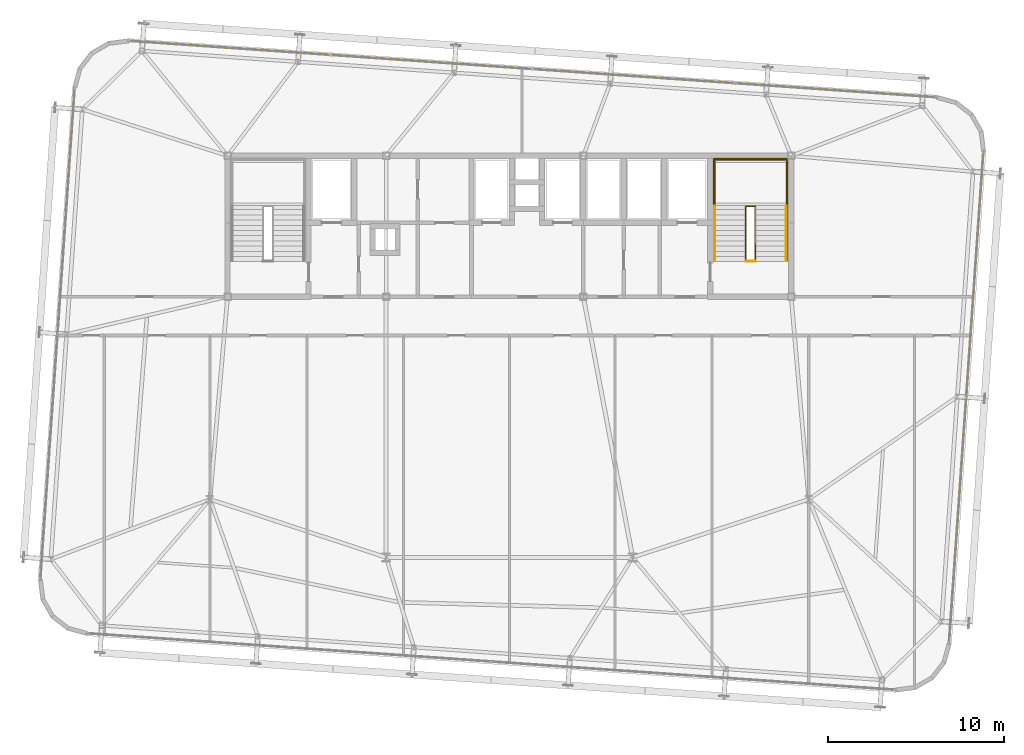
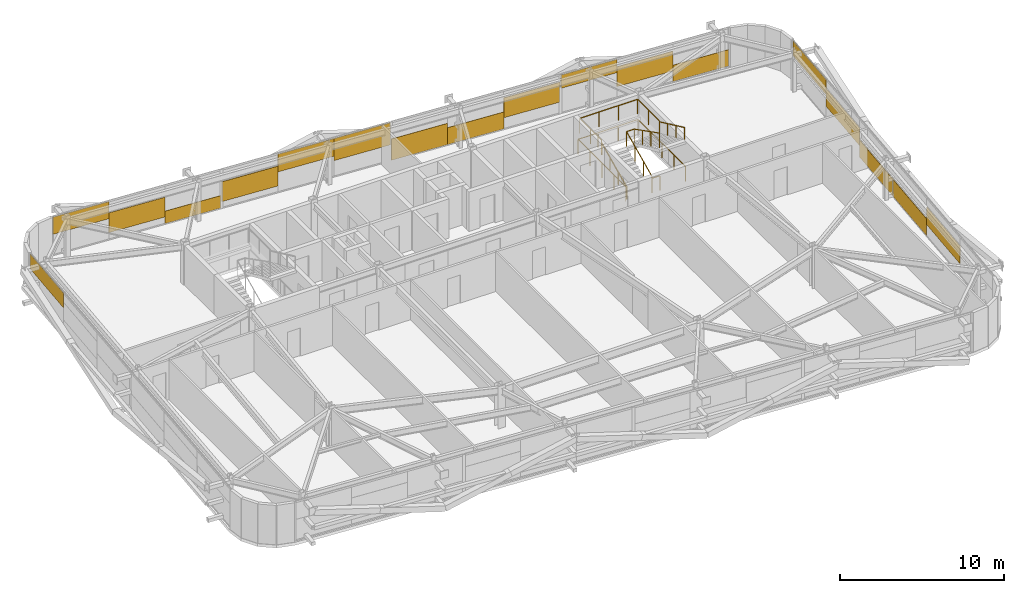
# One storey, part 39 of 39: 18 coverings, 6 railings.
"""IFC4 building model written with IfcOpenShell, lengths in metres."""

from ifc_helpers import new_model, si_unit, direction, frame, origin, origin_2d, place, context, subcontext, project, spatial, rectangle, extrude, source, transform, mapped, material, layer, layer_set, type_object, element, save


model = new_model("IFC4")

# Units and contexts
model_context = context("Model", 3, precision=1e-05, world=origin(), true_north=direction((0.0, 1.0)))
body_context = subcontext(model_context, "Body", "Model", "MODEL_VIEW")
ifc_project = project(units=[si_unit("LENGTHUNIT", "METRE"), si_unit("AREAUNIT", "SQUARE_METRE"), si_unit("VOLUMEUNIT", "CUBIC_METRE"), si_unit("PLANEANGLEUNIT", "RADIAN"), si_unit("MASSUNIT", "GRAM", prefix="KILO")], contexts=[model_context])

# Site, building, storey
site_placement = place(None, origin())
site = spatial("IfcSite", under=ifc_project, at=site_placement, CompositionType="ELEMENT")
building_placement = place(site_placement, origin())
building = spatial("IfcBuilding", under=site, at=building_placement, Name="Taldren Reach Tower", CompositionType="ELEMENT")
storey_placement = place(building_placement, frame((0.0, 0.0, 123.550048828125)))
storey = spatial("IfcBuildingStorey", under=building, at=storey_placement, Name="L37", CompositionType="ELEMENT", Elevation=123.550048828125)

# Railings
ifc_material_1 = material(Name="Steel Gr 350 (C350L0)", Category="steel")
ifc_layer_1 = layer(ifc_material_1, 0.050048828125)
ifc_layer_set_1 = layer_set([ifc_layer_1], Name="Steel Gr 350 (C350L0)")
railing_type_1 = type_object("IfcRailingType", Name="RL-STAIR-GR", PredefinedType="GUARDRAIL", material=ifc_layer_set_1)
railing_1_placement = place(storey_placement, frame((46.659912109375, 29.135009765625, 1.574951171875)))
element("IfcRailing", 1, at=railing_1_placement, inside=storey, type_object=railing_type_1, Name="Stair half-landing perimeter guard ST2-L37", PredefinedType="GUARDRAIL", context=body_context, shape_type="SweptSolid", body=[
    extrude(rectangle(XDim=0.047852, YDim=0.047852, at=origin_2d()), frame((0.0, 0.0, 1.09619140625), z_axis=(0.0, 1.0, 0.0), x_axis=(-1.0, 0.0, 0.0)), (0.0, 0.0, 1.0), 2.64501953125),
    extrude(rectangle(XDim=0.047852, YDim=0.047852, at=origin_2d()), frame((0.0, 2.64501953125, 1.09619140625), z_axis=(1.0, 0.0, 0.0), x_axis=(0.0, 1.0, 0.0)), (0.0, 0.0, 1.0), 4.080078125),
    extrude(rectangle(XDim=0.047852, YDim=0.047852, at=origin_2d()), frame((4.080078125, 2.64501953125, 1.09619140625), z_axis=(0.0, -1.0, 0.0), x_axis=(1.0, 0.0, 0.0)), (0.0, 0.0, 1.0), 2.64501953125),
    extrude(rectangle(XDim=0.041992, YDim=0.041992, at=origin_2d()), origin(), (0.0, 0.0, 1.0), 1.072021484375),
    extrude(rectangle(XDim=0.041992, YDim=0.041992, at=origin_2d()), frame((0.0, 1.322509765625, 0.0)), (0.0, 0.0, 1.0), 1.072021484375),
    extrude(rectangle(XDim=0.041992, YDim=0.041992, at=origin_2d()), frame((0.0, 2.64501953125, 0.0)), (0.0, 0.0, 1.0), 1.072021484375),
    extrude(rectangle(XDim=0.041992, YDim=0.041992, at=origin_2d()), frame((1.360107421875, 2.64501953125, 0.0)), (0.0, 0.0, 1.0), 1.072021484375),
    extrude(rectangle(XDim=0.041992, YDim=0.041992, at=origin_2d()), frame((2.719970703125, 2.64501953125, 0.0)), (0.0, 0.0, 1.0), 1.072021484375),
    extrude(rectangle(XDim=0.041992, YDim=0.041992, at=origin_2d()), frame((4.080078125, 2.64501953125, 0.0)), (0.0, 0.0, 1.0), 1.072021484375),
    extrude(rectangle(XDim=0.041992, YDim=0.041992, at=origin_2d()), frame((4.080078125, 1.322509765625, 0.0)), (0.0, 0.0, 1.0), 1.072021484375),
    extrude(rectangle(XDim=0.041992, YDim=0.041992, at=origin_2d()), frame((4.080078125, 0.0, 0.0)), (0.0, 0.0, 1.0), 1.072021484375),
])
railing_2_placement = place(storey_placement, frame((48.429931640625, 26.050048828125, 0.131103515625)))
element("IfcRailing", 2, at=railing_2_placement, inside=storey, type_object=railing_type_1, Name="Stairwell inner guard ST2-L37", PredefinedType="GUARDRAIL", context=body_context, shape_type="SweptSolid", body=[
    extrude(rectangle(XDim=0.047852, YDim=0.047852, at=origin_2d()), frame((0.0, 0.0, 1.09619140625), z_axis=(0.0, 0.905710134349, 0.423897573167), x_axis=(-1.0, 0.0, 0.0)), (0.0, 0.0, 1.0), 3.406005859375),
    extrude(rectangle(XDim=0.047852, YDim=0.047852, at=origin_2d()), frame((0.0, 3.0849609375, 2.5400390625), z_axis=(1.0, 0.0, 0.0), x_axis=(0.0, 1.0, 0.0)), (0.0, 0.0, 1.0), 0.5400390625),
    extrude(rectangle(XDim=0.047852, YDim=0.047852, at=origin_2d()), frame((0.5400390625, 3.0849609375, 2.5400390625), z_axis=(0.0, -0.890645957773, 0.45469745755), x_axis=(1.0, 0.0, 0.0)), (0.0, 0.0, 1.0), 3.463623046875),
    extrude(rectangle(XDim=0.041992, YDim=0.041992, at=origin_2d()), origin(), (0.0, 0.0, 1.0), 1.072021484375),
    extrude(rectangle(XDim=0.041992, YDim=0.041992, at=origin_2d()), frame((0.0, 1.0283203125, 0.481201171875)), (0.0, 0.0, 1.0), 1.072021484375),
    extrude(rectangle(XDim=0.041992, YDim=0.041992, at=origin_2d()), frame((0.0, 2.056640625, 0.962646484375)), (0.0, 0.0, 1.0), 1.072021484375),
    extrude(rectangle(XDim=0.041992, YDim=0.041992, at=origin_2d()), frame((0.0, 3.0849609375, 1.44384765625)), (0.0, 0.0, 1.0), 1.072021484375),
    extrude(rectangle(XDim=0.041992, YDim=0.041992, at=origin_2d()), frame((0.5400390625, 3.0849609375, 1.44384765625)), (0.0, 0.0, 1.0), 1.072021484375),
    extrude(rectangle(XDim=0.041992, YDim=0.041992, at=origin_2d()), frame((0.5400390625, 2.056640625, 1.96875)), (0.0, 0.0, 1.0), 1.072021484375),
    extrude(rectangle(XDim=0.041992, YDim=0.041992, at=origin_2d()), frame((0.5400390625, 1.0283203125, 2.493896484375)), (0.0, 0.0, 1.0), 1.072021484375),
    extrude(rectangle(XDim=0.041992, YDim=0.041992, at=origin_2d()), frame((0.5400390625, 0.0, 3.018798828125)), (0.0, 0.0, 1.0), 1.072021484375),
])
railing_3_placement = place(storey_placement, frame((48.429931640625, 26.010009765625, 0.0)))
element("IfcRailing", 3, at=railing_3_placement, inside=storey, type_object=railing_type_1, Name="Stairwell landing slot guard ST2-L37", PredefinedType="GUARDRAIL", context=body_context, shape_type="SweptSolid", body=[
    extrude(rectangle(XDim=0.047852, YDim=0.047852, at=origin_2d()), frame((0.0, 0.0, 1.09619140625), z_axis=(1.0, 0.0, 0.0), x_axis=(0.0, 1.0, 0.0)), (0.0, 0.0, 1.0), 0.5400390625),
    extrude(rectangle(XDim=0.041992, YDim=0.041992, at=origin_2d()), origin(), (0.0, 0.0, 1.0), 1.072021484375),
    extrude(rectangle(XDim=0.041992, YDim=0.041992, at=origin_2d()), frame((0.5400390625, 0.0, 0.0)), (0.0, 0.0, 1.0), 1.072021484375),
])
railing_4_placement = place(storey_placement, frame((46.590087890625, 26.050048828125, 0.0)))
element("IfcRailing", 4, at=railing_4_placement, inside=storey, type_object=railing_type_1, Name="Stairwell floor opening guard ST2-L37", PredefinedType="GUARDRAIL", context=body_context, shape_type="SweptSolid", body=[
    extrude(rectangle(XDim=0.047852, YDim=0.047852, at=origin_2d()), frame((0.0, 0.0, 1.09619140625), z_axis=(0.0, 1.0, 0.0), x_axis=(-1.0, 0.0, 0.0)), (0.0, 0.0, 1.0), 5.800048828125),
    extrude(rectangle(XDim=0.047852, YDim=0.047852, at=origin_2d()), frame((0.0, 5.800048828125, 1.09619140625), z_axis=(1.0, 0.0, 0.0), x_axis=(0.0, 1.0, 0.0)), (0.0, 0.0, 1.0), 4.219970703125),
    extrude(rectangle(XDim=0.047852, YDim=0.047852, at=origin_2d()), frame((4.219970703125, 5.800048828125, 1.09619140625), z_axis=(0.0, -1.0, 0.0), x_axis=(1.0, 0.0, 0.0)), (0.0, 0.0, 1.0), 5.800048828125),
    extrude(rectangle(XDim=0.041992, YDim=0.041992, at=origin_2d()), origin(), (0.0, 0.0, 1.0), 1.072021484375),
    extrude(rectangle(XDim=0.041992, YDim=0.041992, at=origin_2d()), frame((0.0, 1.449951171875, 0.0)), (0.0, 0.0, 1.0), 1.072021484375),
    extrude(rectangle(XDim=0.041992, YDim=0.041992, at=origin_2d()), frame((0.0, 2.89990234375, 0.0)), (0.0, 0.0, 1.0), 1.072021484375),
    extrude(rectangle(XDim=0.041992, YDim=0.041992, at=origin_2d()), frame((0.0, 4.35009765625, 0.0)), (0.0, 0.0, 1.0), 1.072021484375),
    extrude(rectangle(XDim=0.041992, YDim=0.041992, at=origin_2d()), frame((0.0, 5.800048828125, 0.0)), (0.0, 0.0, 1.0), 1.072021484375),
    extrude(rectangle(XDim=0.041992, YDim=0.041992, at=origin_2d()), frame((1.40673828125, 5.800048828125, 0.0)), (0.0, 0.0, 1.0), 1.072021484375),
    extrude(rectangle(XDim=0.041992, YDim=0.041992, at=origin_2d()), frame((2.813232421875, 5.800048828125, 0.0)), (0.0, 0.0, 1.0), 1.072021484375),
    extrude(rectangle(XDim=0.041992, YDim=0.041992, at=origin_2d()), frame((4.219970703125, 5.800048828125, 0.0)), (0.0, 0.0, 1.0), 1.072021484375),
    extrude(rectangle(XDim=0.041992, YDim=0.041992, at=origin_2d()), frame((4.219970703125, 4.35009765625, 0.0)), (0.0, 0.0, 1.0), 1.072021484375),
    extrude(rectangle(XDim=0.041992, YDim=0.041992, at=origin_2d()), frame((4.219970703125, 2.89990234375, 0.0)), (0.0, 0.0, 1.0), 1.072021484375),
    extrude(rectangle(XDim=0.041992, YDim=0.041992, at=origin_2d()), frame((4.219970703125, 1.449951171875, 0.0)), (0.0, 0.0, 1.0), 1.072021484375),
    extrude(rectangle(XDim=0.041992, YDim=0.041992, at=origin_2d()), frame((4.219970703125, 0.0, 0.0)), (0.0, 0.0, 1.0), 1.072021484375),
])
ifc_material_2 = material(Name="Stainless Steel Gr 316", Category="steel")
ifc_layer_2 = layer(ifc_material_2, 0.048095703125)
ifc_layer_set_2 = layer_set([ifc_layer_2], Name="Stainless Steel Gr 316")
railing_type_2 = type_object("IfcRailingType", Name="RL-STAIR-HR", PredefinedType="HANDRAIL", material=ifc_layer_set_2)
railing_5_placement = place(storey_placement, frame((46.669921875, 26.050048828125, 0.131103515625)))
element("IfcRailing", 5, at=railing_5_placement, inside=storey, type_object=railing_type_2, Name="Stair flight handrail ST2-L37-1", PredefinedType="HANDRAIL", context=body_context, shape_type="SweptSolid", body=[
    extrude(rectangle(XDim=0.047852, YDim=0.047852, at=origin_2d()), frame((0.0, 0.0, 0.89599609375), z_axis=(0.0, 0.905710134349, 0.423897573167), x_axis=(-1.0, 0.0, 0.0)), (0.0, 0.0, 1.0), 3.406005859375),
    extrude(rectangle(XDim=0.041992, YDim=0.041992, at=origin_2d()), origin(), (0.0, 0.0, 1.0), 0.871826171875),
    extrude(rectangle(XDim=0.041992, YDim=0.041992, at=origin_2d()), frame((0.0, 1.0283203125, 0.481201171875)), (0.0, 0.0, 1.0), 0.871826171875),
    extrude(rectangle(XDim=0.041992, YDim=0.041992, at=origin_2d()), frame((0.0, 2.056640625, 0.962646484375)), (0.0, 0.0, 1.0), 0.871826171875),
    extrude(rectangle(XDim=0.041992, YDim=0.041992, at=origin_2d()), frame((0.0, 3.0849609375, 1.44384765625)), (0.0, 0.0, 1.0), 0.871826171875),
])
railing_6_placement = place(storey_placement, frame((50.72998046875, 29.135009765625, 1.7060546875)))
element("IfcRailing", 6, at=railing_6_placement, inside=storey, type_object=railing_type_2, Name="Stair flight handrail ST2-L37-2", PredefinedType="HANDRAIL", context=body_context, shape_type="SweptSolid", body=[
    extrude(rectangle(XDim=0.047852, YDim=0.047852, at=origin_2d()), frame((0.0, 0.0, 0.89599609375), z_axis=(0.0, -0.905710134349, 0.423897573167), x_axis=(1.0, 0.0, 0.0)), (0.0, 0.0, 1.0), 3.406005859375),
    extrude(rectangle(XDim=0.041992, YDim=0.041992, at=origin_2d()), origin(), (0.0, 0.0, 1.0), 0.871826171875),
    extrude(rectangle(XDim=0.041992, YDim=0.041992, at=origin_2d()), frame((0.0, -1.0283203125, 0.481201171875)), (0.0, 0.0, 1.0), 0.871826171875),
    extrude(rectangle(XDim=0.041992, YDim=0.041992, at=origin_2d()), frame((0.0, -2.056640625, 0.962646484375)), (0.0, 0.0, 1.0), 0.871826171875),
    extrude(rectangle(XDim=0.041992, YDim=0.041992, at=origin_2d()), frame((0.0, -3.0849609375, 1.44384765625)), (0.0, 0.0, 1.0), 0.871826171875),
])

# Coverings
ifc_material_3 = material(Name="Pale Champagne Fluoropolymer Aluminium Spandrel Cladding", Category="aluminium")
ifc_layer_3 = layer(ifc_material_3, 0.0439453125)
ifc_layer_set_3 = layer_set([ifc_layer_3], Name="Pale Champagne Fluoropolymer Aluminium Spandrel Cladding")
covering_type = type_object("IfcCoveringType", Name="CV-CLAD-044", PredefinedType="CLADDING", material=ifc_layer_set_3)
shared_shape_1 = source(origin(), body_context, "Body", "SweptSolid", [
    extrude(rectangle(XDim=3.79833984375, YDim=0.0439453125, at=origin_2d()), origin(), (0.0, 0.0, 1.0), 1.22216796875),
])
covering_1_placement = place(storey_placement, frame((57.3056640625, 35.451904296875, 0.054931640625), z_axis=(0.0, 0.0, 1.0), x_axis=(-0.99756404731, 0.06975651593, 0.0)))
element("IfcCovering", 7, at=covering_1_placement, inside=storey, type_object=covering_type, Name="Diagrid closure cladding strip CW-4 panel 1.1 1", PredefinedType="CLADDING", context=body_context, shape_type="MappedRepresentation", body=[
    mapped(shared_shape_1, transform((0.0, 0.0, 0.0), scale=1.0)),
])
shared_shape_2 = source(origin(), body_context, "Body", "SweptSolid", [
    extrude(rectangle(XDim=3.79833984375, YDim=0.0439453125, at=origin_2d()), origin(), (0.0, 0.0, 1.0), 1.474365234375),
])
for number, where, z_axis, x_axis, name in (
    (8, (53.5166015625, 35.716796875, 0.84228515625), (0.0, 0.0, 1.0), (-0.99756404731, 0.06975651593, 0.0), "Diagrid closure cladding strip CW-4 panel 1.1 2"),
    (9, (19.135498046875, 38.12109375, 0.55322265625), (0.0, 0.0, 1.0), (-0.99756404731, 0.06975651593, 0.0), "Diagrid closure cladding strip CW-4 panel 4.1 2"),
):
    element("IfcCovering", number, at=place(storey_placement, frame(where, z_axis=z_axis, x_axis=x_axis)), inside=storey, type_object=covering_type, Name=name, PredefinedType="CLADDING", context=body_context, shape_type="MappedRepresentation", body=[
        mapped(shared_shape_2, transform((0.0, 0.0, 0.0), scale=1.0)),
    ])
shared_shape_3 = source(origin(), body_context, "Body", "SweptSolid", [
    extrude(rectangle(XDim=3.79833984375, YDim=0.0439453125, at=origin_2d()), origin(), (0.0, 0.0, 1.0), 0.993408203125),
])
covering_2_placement = place(storey_placement, frame((49.7275390625, 35.981689453125, 1.88134765625), z_axis=(0.0, 0.0, 1.0), x_axis=(-0.99756404731, 0.06975651593, 0.0)))
element("IfcCovering", 10, at=covering_2_placement, inside=storey, type_object=covering_type, Name="Diagrid closure cladding strip CW-4 panel 1.1 3", PredefinedType="CLADDING", context=body_context, shape_type="MappedRepresentation", body=[
    mapped(shared_shape_3, transform((0.0, 0.0, 0.0), scale=1.0)),
])
shared_shape_4 = source(origin(), body_context, "Body", "SweptSolid", [
    extrude(rectangle(XDim=3.81005859375, YDim=0.0439453125, at=origin_2d()), origin(), (0.0, 0.0, 1.0), 1.477783203125),
])
for number, where, z_axis, x_axis, name in (
    (11, (45.86279296875, 36.251953125, 0.88232421875), (0.0, 0.0, 1.0), (-0.99756404731, 0.06975651593, 0.0), "Diagrid closure cladding strip CW-4 panel 2.1 1"),
    (12, (26.789306640625, 37.585693359375, 0.509765625), (0.0, 0.0, 1.0), (-0.99756404731, 0.06975651593, 0.0), "Diagrid closure cladding strip CW-4 panel 3.1 3"),
):
    element("IfcCovering", number, at=place(storey_placement, frame(where, z_axis=z_axis, x_axis=x_axis)), inside=storey, type_object=covering_type, Name=name, PredefinedType="CLADDING", context=body_context, shape_type="MappedRepresentation", body=[
        mapped(shared_shape_4, transform((0.0, 0.0, 0.0), scale=1.0)),
    ])
shared_shape_5 = source(origin(), body_context, "Body", "SweptSolid", [
    extrude(rectangle(XDim=3.81005859375, YDim=0.0439453125, at=origin_2d()), origin(), (0.0, 0.0, 1.0), 1.26220703125),
])
covering_3_placement = place(storey_placement, frame((42.06201171875, 36.517822265625, 0.054931640625), z_axis=(0.0, 0.0, 1.0), x_axis=(-0.99756404731, 0.06975651593, 0.0)))
element("IfcCovering", 13, at=covering_3_placement, inside=storey, type_object=covering_type, Name="Diagrid closure cladding strip CW-4 panel 2.1 2", PredefinedType="CLADDING", context=body_context, shape_type="MappedRepresentation", body=[
    mapped(shared_shape_5, transform((0.0, 0.0, 0.0), scale=1.0)),
])
shared_shape_6 = source(origin(), body_context, "Body", "SweptSolid", [
    extrude(rectangle(XDim=3.81005859375, YDim=0.0439453125, at=origin_2d()), origin(), (0.0, 0.0, 1.0), 1.587890625),
])
covering_4_placement = place(storey_placement, frame((38.261474609375, 36.78369140625, 0.054931640625), z_axis=(0.0, 0.0, 1.0), x_axis=(-0.99756404731, 0.06975651593, 0.0)))
element("IfcCovering", 14, at=covering_4_placement, inside=storey, type_object=covering_type, Name="Diagrid closure cladding strip CW-4 panel 2.1 3", PredefinedType="CLADDING", context=body_context, shape_type="MappedRepresentation", body=[
    mapped(shared_shape_6, transform((0.0, 0.0, 0.0), scale=1.0)),
])
shared_shape_7 = source(origin(), body_context, "Body", "SweptSolid", [
    extrude(rectangle(XDim=3.81005859375, YDim=0.0439453125, at=origin_2d()), origin(), (0.0, 0.0, 1.0), 1.64794921875),
])
covering_5_placement = place(storey_placement, frame((34.390869140625, 37.05419921875, 1.22705078125), z_axis=(0.0, 0.0, 1.0), x_axis=(-0.99756404731, 0.06975651593, 0.0)))
element("IfcCovering", 15, at=covering_5_placement, inside=storey, type_object=covering_type, Name="Diagrid closure cladding strip CW-4 panel 3.1 1", PredefinedType="CLADDING", context=body_context, shape_type="MappedRepresentation", body=[
    mapped(shared_shape_7, transform((0.0, 0.0, 0.0), scale=1.0)),
])
shared_shape_8 = source(origin(), body_context, "Body", "SweptSolid", [
    extrude(rectangle(XDim=3.81005859375, YDim=0.0439453125, at=origin_2d()), origin(), (0.0, 0.0, 1.0), 1.322265625),
])
covering_6_placement = place(storey_placement, frame((30.590087890625, 37.320068359375, 1.552734375), z_axis=(0.0, 0.0, 1.0), x_axis=(-0.99756404731, 0.06975651593, 0.0)))
element("IfcCovering", 16, at=covering_6_placement, inside=storey, type_object=covering_type, Name="Diagrid closure cladding strip CW-4 panel 3.1 2", PredefinedType="CLADDING", context=body_context, shape_type="MappedRepresentation", body=[
    mapped(shared_shape_8, transform((0.0, 0.0, 0.0), scale=1.0)),
])
shared_shape_9 = source(origin(), body_context, "Body", "SweptSolid", [
    extrude(rectangle(XDim=3.79833984375, YDim=0.0439453125, at=origin_2d()), origin(), (0.0, 0.0, 1.0), 0.93359375),
])
covering_7_placement = place(storey_placement, frame((22.924560546875, 37.85595703125, 0.054931640625), z_axis=(0.0, 0.0, 1.0), x_axis=(-0.99756404731, 0.06975651593, 0.0)))
element("IfcCovering", 17, at=covering_7_placement, inside=storey, type_object=covering_type, Name="Diagrid closure cladding strip CW-4 panel 4.1 1", PredefinedType="CLADDING", context=body_context, shape_type="MappedRepresentation", body=[
    mapped(shared_shape_9, transform((0.0, 0.0, 0.0), scale=1.0)),
])
shared_shape_10 = source(origin(), body_context, "Body", "SweptSolid", [
    extrude(rectangle(XDim=3.79833984375, YDim=0.0439453125, at=origin_2d()), origin(), (0.0, 0.0, 1.0), 1.2822265625),
])
covering_8_placement = place(storey_placement, frame((15.346435546875, 38.385986328125, 1.5927734375), z_axis=(0.0, 0.0, 1.0), x_axis=(-0.99756404731, 0.06975651593, 0.0)))
element("IfcCovering", 18, at=covering_8_placement, inside=storey, type_object=covering_type, Name="Diagrid closure cladding strip CW-4 panel 4.1 3", PredefinedType="CLADDING", context=body_context, shape_type="MappedRepresentation", body=[
    mapped(shared_shape_10, transform((0.0, 0.0, 0.0), scale=1.0)),
])
shared_shape_11 = source(origin(), body_context, "Body", "SweptSolid", [
    extrude(rectangle(XDim=4.631591796875, YDim=0.0439453125, at=origin_2d()), origin(), (0.0, 0.0, 1.0), 1.306640625),
])
for number, where, z_axis, x_axis, name in (
    (19, (60.4599609375, 11.33056640625, 0.892333984375), (0.0, 0.0, 1.0), (0.069756437251, 0.997564052812, 0.0), "Diagrid closure cladding strip CW-4 panel 1.1 2"),
    (20, (61.43408203125, 25.261474609375, 0.892333984375), (0.0, 0.0, 1.0), (0.069756437251, 0.997564052812, 0.0), "Diagrid closure cladding strip CW-4 panel 2.1 2"),
):
    element("IfcCovering", number, at=place(storey_placement, frame(where, z_axis=z_axis, x_axis=x_axis)), inside=storey, type_object=covering_type, Name=name, PredefinedType="CLADDING", context=body_context, shape_type="MappedRepresentation", body=[
        mapped(shared_shape_11, transform((0.0, 0.0, 0.0), scale=1.0)),
    ])
shared_shape_12 = source(origin(), body_context, "Body", "SweptSolid", [
    extrude(rectangle(XDim=4.631591796875, YDim=0.0439453125, at=origin_2d()), origin(), (0.0, 0.0, 1.0), 1.103515625),
])
for number, where, z_axis, x_axis, name in (
    (21, (10.1630859375, 33.48974609375, 1.771484375), (0.0, 0.0, 1.0), (-0.069756437251, -0.997564052812, 0.0), "Diagrid closure cladding strip CW-4 panel 1.1 1"),
    (22, (61.757080078125, 29.882080078125, 1.771484375), (0.0, 0.0, 1.0), (0.069756437251, 0.997564052812, 0.0), "Diagrid closure cladding strip CW-4 panel 2.1 3"),
):
    element("IfcCovering", number, at=place(storey_placement, frame(where, z_axis=z_axis, x_axis=x_axis)), inside=storey, type_object=covering_type, Name=name, PredefinedType="CLADDING", context=body_context, shape_type="MappedRepresentation", body=[
        mapped(shared_shape_12, transform((0.0, 0.0, 0.0), scale=1.0)),
    ])
shared_shape_13 = source(origin(), body_context, "Body", "SweptSolid", [
    extrude(rectangle(XDim=4.631591796875, YDim=0.0439453125, at=origin_2d()), origin(), (0.0, 0.0, 1.0), 1.2646484375),
])
for number, where, z_axis, x_axis, name in (
    (23, (60.782958984375, 15.950927734375, 0.054931640625), (0.0, 0.0, 1.0), (0.069756437251, 0.997564052812, 0.0), "Diagrid closure cladding strip CW-4 panel 1.1 3"),
    (24, (61.111083984375, 20.64111328125, 0.054931640625), (0.0, 0.0, 1.0), (0.069756437251, 0.997564052812, 0.0), "Diagrid closure cladding strip CW-4 panel 2.1 1"),
):
    element("IfcCovering", number, at=place(storey_placement, frame(where, z_axis=z_axis, x_axis=x_axis)), inside=storey, type_object=covering_type, Name=name, PredefinedType="CLADDING", context=body_context, shape_type="MappedRepresentation", body=[
        mapped(shared_shape_13, transform((0.0, 0.0, 0.0), scale=1.0)),
    ])

save(model, "model.ifc")
